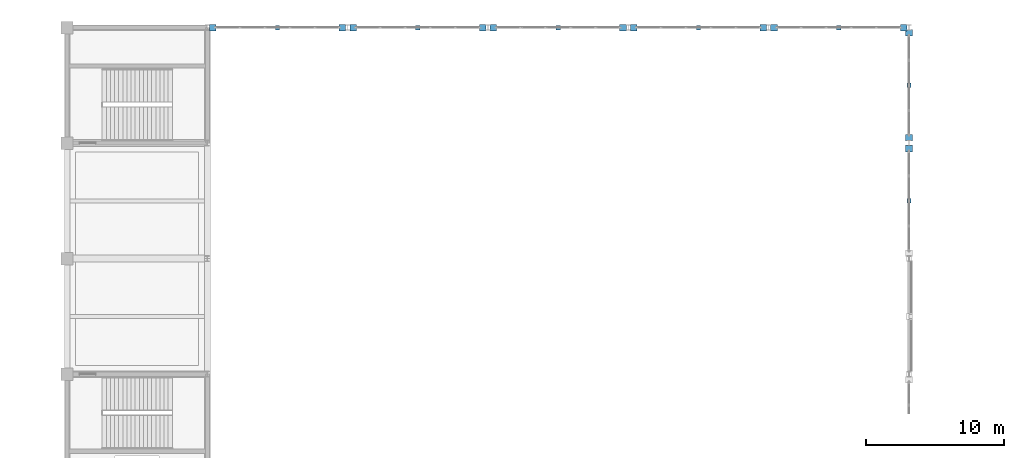
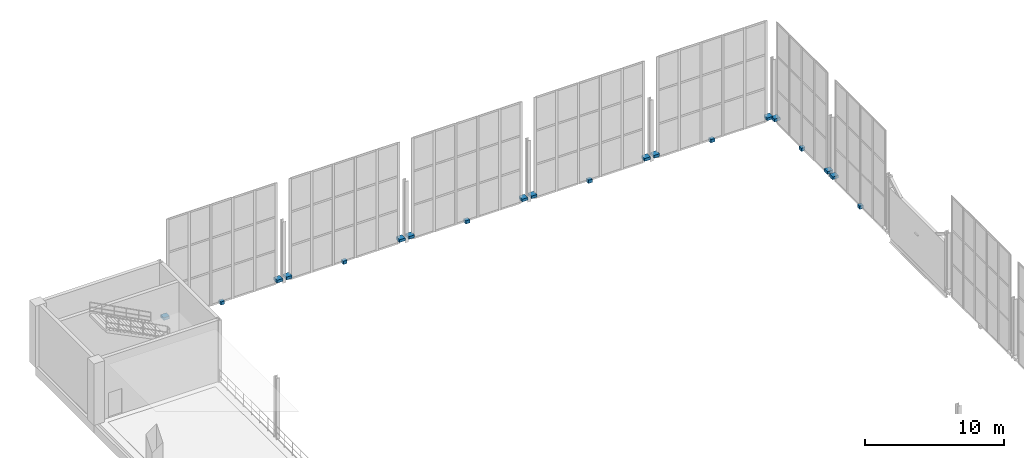
# One storey, part 151 of 175: 20 discrete accessories.
"""IFC4 building model written with IfcOpenShell, lengths in metres."""

from ifc_helpers import new_model, si_unit, direction, frame, origin, origin_2d, place, context, subcontext, project, spatial, rectangle, extrude, material, type_object, element, save


model = new_model("IFC4")

# Units and contexts
model_context = context("Model", 3, precision=1e-05, world=origin(), true_north=direction((0.0, 1.0)))
body_context = subcontext(model_context, "Body", "Model", "MODEL_VIEW")
ifc_project = project(units=[si_unit("LENGTHUNIT", "METRE"), si_unit("AREAUNIT", "SQUARE_METRE"), si_unit("VOLUMEUNIT", "CUBIC_METRE"), si_unit("PLANEANGLEUNIT", "RADIAN"), si_unit("MASSUNIT", "GRAM", prefix="KILO")], contexts=[model_context])

# Site, building, storey
site_placement = place(None, origin())
site = spatial("IfcSite", under=ifc_project, at=site_placement, CompositionType="ELEMENT")
building_placement = place(site_placement, origin())
building = spatial("IfcBuilding", under=site, at=building_placement, Name="Brelvane Convention Centre", CompositionType="ELEMENT")
storey_placement = place(building_placement, frame((0.0, 0.0, 5.39990234375)))
storey = spatial("IfcBuildingStorey", under=building, at=storey_placement, Name="L01", CompositionType="ELEMENT", Elevation=5.39990234375)

# Discrete accessories
ifc_material = material(Name="Steel E350 (350 MPa)", Category="steel")
discrete_accessory_type = type_object("IfcDiscreteAccessoryType", Name="Facade Outrigger Bracket BRK-02", PredefinedType="BRACKET", material=ifc_material)
for number, where, z_axis, x_axis, name in (
    (1, (173.7900390625, 144.0, 0.22998046875), (0.0, 0.0, 1.0), (1.0, 0.0, 0.0), "Curtain Wall Anchor Bracket L01-V3N-CW-L01-1-L"),
    (2, (183.2099609375, 144.0, 0.22998046875), (0.0, 0.0, 1.0), (1.0, 0.0, 0.0), "Curtain Wall Anchor Bracket L01-V3N-CW-L01-1-R"),
):
    element("IfcDiscreteAccessory", number, at=place(storey_placement, frame(where, z_axis=z_axis, x_axis=x_axis)), inside=storey, type_object=discrete_accessory_type, Name=name, PredefinedType="BRACKET", context=body_context, shape_type="SweptSolid", body=[
        extrude(rectangle(XDim=0.47998046875, YDim=0.47998046875, at=origin_2d()), origin(), (0.0, 0.0, 1.0), 0.239990234375),
    ])
discrete_accessory_1_placement = place(storey_placement, frame((178.5, 144.0, -0.14013671875), z_axis=(0.0, 0.0, 1.0), x_axis=(1.0, 0.0, 0.0)))
element("IfcDiscreteAccessory", 3, at=discrete_accessory_1_placement, inside=storey, type_object=discrete_accessory_type, Name="Curtain Wall Anchor Bracket L01-V3N-CW-L01-1-B", PredefinedType="BRACKET", context=body_context, shape_type="SweptSolid", body=[
    extrude(rectangle(XDim=0.320068359375, YDim=0.320068359375, at=origin_2d()), origin(), (0.0, 0.0, 1.0), 0.280029296875),
])
for number, where, z_axis, x_axis, name in (
    (4, (183.989990234375, 144.0, 0.22998046875), (0.0, 0.0, 1.0), (1.0, 0.0, 0.0), "Curtain Wall Anchor Bracket L01-V3N-CW-L01-2-L"),
    (5, (193.409912109375, 144.0, 0.22998046875), (0.0, 0.0, 1.0), (1.0, 0.0, 0.0), "Curtain Wall Anchor Bracket L01-V3N-CW-L01-2-R"),
):
    element("IfcDiscreteAccessory", number, at=place(storey_placement, frame(where, z_axis=z_axis, x_axis=x_axis)), inside=storey, type_object=discrete_accessory_type, Name=name, PredefinedType="BRACKET", context=body_context, shape_type="SweptSolid", body=[
        extrude(rectangle(XDim=0.47998046875, YDim=0.47998046875, at=origin_2d()), origin(), (0.0, 0.0, 1.0), 0.239990234375),
    ])
discrete_accessory_2_placement = place(storey_placement, frame((188.699951171875, 144.0, -0.14013671875), z_axis=(0.0, 0.0, 1.0), x_axis=(1.0, 0.0, 0.0)))
element("IfcDiscreteAccessory", 6, at=discrete_accessory_2_placement, inside=storey, type_object=discrete_accessory_type, Name="Curtain Wall Anchor Bracket L01-V3N-CW-L01-2-B", PredefinedType="BRACKET", context=body_context, shape_type="SweptSolid", body=[
    extrude(rectangle(XDim=0.320068359375, YDim=0.320068359375, at=origin_2d()), origin(), (0.0, 0.0, 1.0), 0.280029296875),
])
for number, where, z_axis, x_axis, name in (
    (7, (194.18994140625, 144.0, 0.22998046875), (0.0, 0.0, 1.0), (1.0, 0.0, 0.0), "Curtain Wall Anchor Bracket L01-V3N-CW-L01-3-L"),
    (8, (203.610107421875, 144.0, 0.22998046875), (0.0, 0.0, 1.0), (1.0, 0.0, 0.0), "Curtain Wall Anchor Bracket L01-V3N-CW-L01-3-R"),
):
    element("IfcDiscreteAccessory", number, at=place(storey_placement, frame(where, z_axis=z_axis, x_axis=x_axis)), inside=storey, type_object=discrete_accessory_type, Name=name, PredefinedType="BRACKET", context=body_context, shape_type="SweptSolid", body=[
        extrude(rectangle(XDim=0.47998046875, YDim=0.47998046875, at=origin_2d()), origin(), (0.0, 0.0, 1.0), 0.239990234375),
    ])
discrete_accessory_3_placement = place(storey_placement, frame((198.89990234375, 144.0, -0.14013671875), z_axis=(0.0, 0.0, 1.0), x_axis=(1.0, 0.0, 0.0)))
element("IfcDiscreteAccessory", 9, at=discrete_accessory_3_placement, inside=storey, type_object=discrete_accessory_type, Name="Curtain Wall Anchor Bracket L01-V3N-CW-L01-3-B", PredefinedType="BRACKET", context=body_context, shape_type="SweptSolid", body=[
    extrude(rectangle(XDim=0.320068359375, YDim=0.320068359375, at=origin_2d()), origin(), (0.0, 0.0, 1.0), 0.280029296875),
])
for number, where, z_axis, x_axis, name in (
    (10, (204.389892578125, 144.0, 0.22998046875), (0.0, 0.0, 1.0), (1.0, 0.0, 0.0), "Curtain Wall Anchor Bracket L01-V3N-CW-L01-4-L"),
    (11, (213.81005859375, 144.0, 0.22998046875), (0.0, 0.0, 1.0), (1.0, 0.0, 0.0), "Curtain Wall Anchor Bracket L01-V3N-CW-L01-4-R"),
):
    element("IfcDiscreteAccessory", number, at=place(storey_placement, frame(where, z_axis=z_axis, x_axis=x_axis)), inside=storey, type_object=discrete_accessory_type, Name=name, PredefinedType="BRACKET", context=body_context, shape_type="SweptSolid", body=[
        extrude(rectangle(XDim=0.47998046875, YDim=0.47998046875, at=origin_2d()), origin(), (0.0, 0.0, 1.0), 0.239990234375),
    ])
discrete_accessory_4_placement = place(storey_placement, frame((209.10009765625, 144.0, -0.14013671875), z_axis=(0.0, 0.0, 1.0), x_axis=(1.0, 0.0, 0.0)))
element("IfcDiscreteAccessory", 12, at=discrete_accessory_4_placement, inside=storey, type_object=discrete_accessory_type, Name="Curtain Wall Anchor Bracket L01-V3N-CW-L01-4-B", PredefinedType="BRACKET", context=body_context, shape_type="SweptSolid", body=[
    extrude(rectangle(XDim=0.320068359375, YDim=0.320068359375, at=origin_2d()), origin(), (0.0, 0.0, 1.0), 0.280029296875),
])
for number, where, z_axis, x_axis, name in (
    (13, (214.590087890625, 144.0, 0.22998046875), (0.0, 0.0, 1.0), (1.0, 0.0, 0.0), "Curtain Wall Anchor Bracket L01-V3N-CW-L01-5-L"),
    (14, (224.010009765625, 144.0, 0.22998046875), (0.0, 0.0, 1.0), (1.0, 0.0, 0.0), "Curtain Wall Anchor Bracket L01-V3N-CW-L01-5-R"),
):
    element("IfcDiscreteAccessory", number, at=place(storey_placement, frame(where, z_axis=z_axis, x_axis=x_axis)), inside=storey, type_object=discrete_accessory_type, Name=name, PredefinedType="BRACKET", context=body_context, shape_type="SweptSolid", body=[
        extrude(rectangle(XDim=0.47998046875, YDim=0.47998046875, at=origin_2d()), origin(), (0.0, 0.0, 1.0), 0.239990234375),
    ])
discrete_accessory_5_placement = place(storey_placement, frame((219.300048828125, 144.0, -0.14013671875), z_axis=(0.0, 0.0, 1.0), x_axis=(1.0, 0.0, 0.0)))
element("IfcDiscreteAccessory", 15, at=discrete_accessory_5_placement, inside=storey, type_object=discrete_accessory_type, Name="Curtain Wall Anchor Bracket L01-V3N-CW-L01-5-B", PredefinedType="BRACKET", context=body_context, shape_type="SweptSolid", body=[
    extrude(rectangle(XDim=0.320068359375, YDim=0.320068359375, at=origin_2d()), origin(), (0.0, 0.0, 1.0), 0.280029296875),
])
discrete_accessory_6_placement = place(storey_placement, frame((224.39990234375, 135.2099609375, 0.22998046875), z_axis=(0.0, 0.0, 1.0), x_axis=(1.0, 0.0, 0.0)))
element("IfcDiscreteAccessory", 16, at=discrete_accessory_6_placement, inside=storey, type_object=discrete_accessory_type, Name="Curtain Wall Anchor Bracket L01-V3E-CW-L01-4-R", PredefinedType="BRACKET", context=body_context, shape_type="SweptSolid", body=[
    extrude(rectangle(XDim=0.47998046875, YDim=0.47998046875, at=origin_2d()), origin(), (0.0, 0.0, 1.0), 0.239990234375),
])
discrete_accessory_7_placement = place(storey_placement, frame((224.39990234375, 131.39990234375, -0.14013671875), z_axis=(0.0, 0.0, 1.0), x_axis=(1.0, 0.0, 0.0)))
element("IfcDiscreteAccessory", 17, at=discrete_accessory_7_placement, inside=storey, type_object=discrete_accessory_type, Name="Curtain Wall Anchor Bracket L01-V3E-CW-L01-4-B", PredefinedType="BRACKET", context=body_context, shape_type="SweptSolid", body=[
    extrude(rectangle(XDim=0.320068359375, YDim=0.320068359375, at=origin_2d()), origin(), (0.0, 0.0, 1.0), 0.280029296875),
])
for number, where, z_axis, x_axis, name in (
    (18, (224.39990234375, 135.989990234375, 0.22998046875), (0.0, 0.0, 1.0), (1.0, 0.0, 0.0), "Curtain Wall Anchor Bracket L01-V3E-CW-L01-5-L"),
    (19, (224.39990234375, 143.610107421875, 0.22998046875), (0.0, 0.0, 1.0), (1.0, 0.0, 0.0), "Curtain Wall Anchor Bracket L01-V3E-CW-L01-5-R"),
):
    element("IfcDiscreteAccessory", number, at=place(storey_placement, frame(where, z_axis=z_axis, x_axis=x_axis)), inside=storey, type_object=discrete_accessory_type, Name=name, PredefinedType="BRACKET", context=body_context, shape_type="SweptSolid", body=[
        extrude(rectangle(XDim=0.47998046875, YDim=0.47998046875, at=origin_2d()), origin(), (0.0, 0.0, 1.0), 0.239990234375),
    ])
discrete_accessory_8_placement = place(storey_placement, frame((224.39990234375, 139.800048828125, -0.14013671875), z_axis=(0.0, 0.0, 1.0), x_axis=(1.0, 0.0, 0.0)))
element("IfcDiscreteAccessory", 20, at=discrete_accessory_8_placement, inside=storey, type_object=discrete_accessory_type, Name="Curtain Wall Anchor Bracket L01-V3E-CW-L01-5-B", PredefinedType="BRACKET", context=body_context, shape_type="SweptSolid", body=[
    extrude(rectangle(XDim=0.320068359375, YDim=0.320068359375, at=origin_2d()), origin(), (0.0, 0.0, 1.0), 0.280029296875),
])

save(model, "model.ifc")
